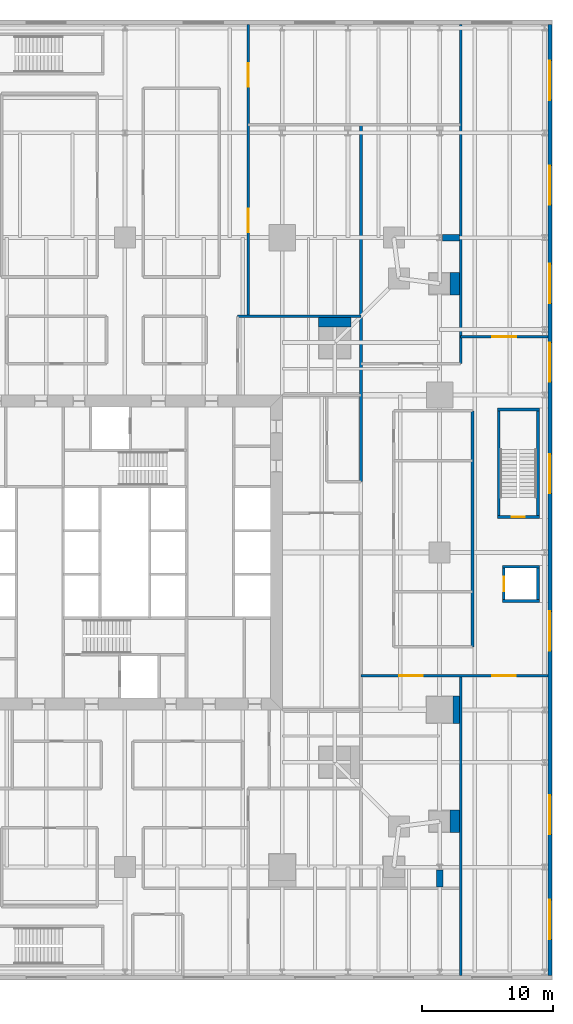
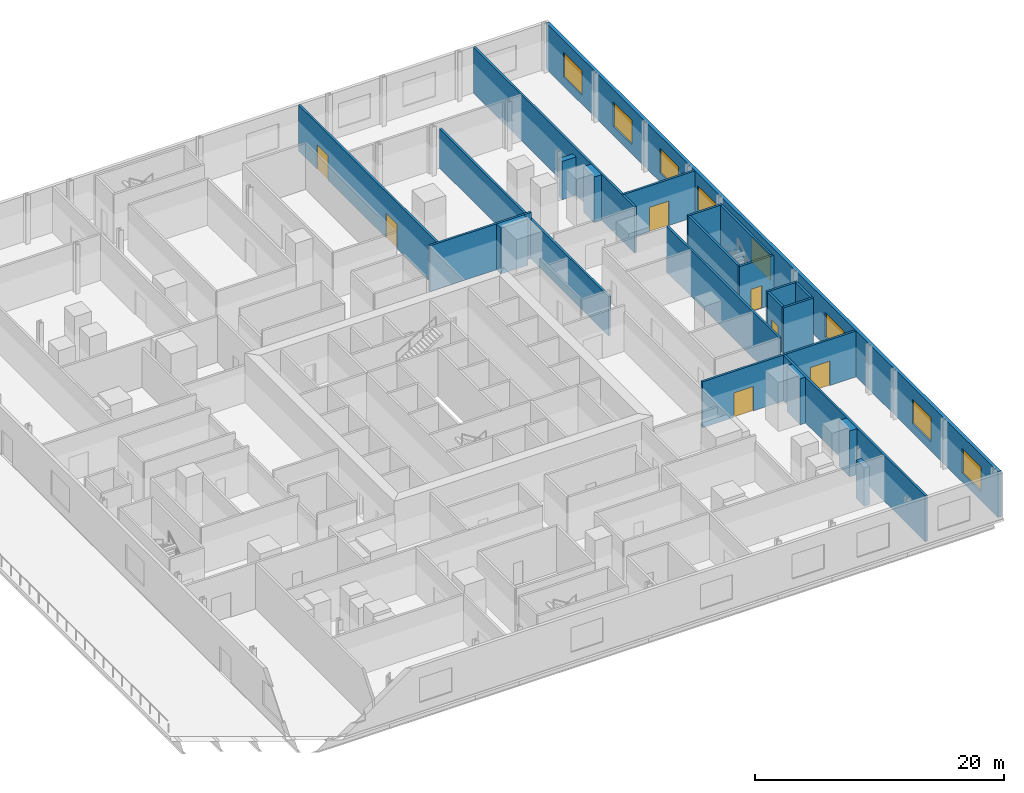
# One storey, part 13 of 17: 23 walls, 8 windows, 7 doors, 15 openings.
"""IFC4 building model written with IfcOpenShell, lengths in metres."""

from ifc_helpers import new_model, si_unit, direction, frame, frame_2d, origin, place, context, subcontext, project, spatial, rectangle, extrude, material, layer, layer_set, type_object, element, fill, save


model = new_model("IFC4")

# Units and contexts
model_context = context("Model", 3, precision=1e-05, world=origin(), true_north=direction((0.0, 1.0)))
body_context = subcontext(model_context, "Body", "Model", "MODEL_VIEW")
ifc_project = project(units=[si_unit("LENGTHUNIT", "METRE"), si_unit("AREAUNIT", "SQUARE_METRE"), si_unit("VOLUMEUNIT", "CUBIC_METRE"), si_unit("PLANEANGLEUNIT", "RADIAN"), si_unit("MASSUNIT", "GRAM", prefix="KILO")], contexts=[model_context])

# Site, building, storey
site_placement = place(None, origin())
site = spatial("IfcSite", under=ifc_project, at=site_placement, CompositionType="ELEMENT")
building_placement = place(site_placement, origin())
building = spatial("IfcBuilding", under=site, at=building_placement, Name="Fenwick Lantern Interchange", CompositionType="ELEMENT")
storey_placement = place(building_placement, frame((0.0, 0.0, 21.39990234375)))
storey = spatial("IfcBuildingStorey", under=building, at=storey_placement, Name="L04", CompositionType="ELEMENT", Elevation=21.39990234375)

# Walls
ifc_material_1 = material(Name="Fire-rated gypsum board encasement on steel studs, 2 hour", Category="steel")
ifc_layer_1 = layer(ifc_material_1, 1.699951171875)
ifc_layer_set_1 = layer_set([ifc_layer_1], Name="COLUMN PIER 1700")
wall_type_1 = type_object("IfcWallType", Name="COLUMN PIER 1700", PredefinedType="PARTITIONING", material=ifc_layer_set_1)
for number, where, z_axis, x_axis, name in (
    (1, (50.5, 4.5, 0.0), (0.0, 0.0, 1.0), (-1.0, 0.0, 0.0), "L04/W/PIER/CE1"),
    (2, (50.5, 45.5, 0.0), (0.0, 0.0, 1.0), (-1.0, 0.0, 0.0), "L04/W/PIER/CE5"),
):
    element("IfcWall", number, at=place(storey_placement, frame(where, z_axis=z_axis, x_axis=x_axis)), inside=storey, type_object=wall_type_1, Name=name, PredefinedType="PARTITIONING", context=body_context, shape_type="SweptSolid", body=[
        extrude(rectangle(XDim=0.699951171875, YDim=1.699951171875, at=frame_2d((0.35009765625, 0.0))), origin(), (0.0, 0.0, 1.0), 4.5),
    ])
ifc_layer_2 = layer(ifc_material_1, 2.10009765625)
ifc_layer_set_2 = layer_set([ifc_layer_2], Name="COLUMN PIER 2100")
wall_type_2 = type_object("IfcWallType", Name="COLUMN PIER 2100", PredefinedType="PARTITIONING", material=ifc_layer_set_2)
wall_1_placement = place(storey_placement, frame((50.5, 13.0, 0.0), z_axis=(0.0, 0.0, 1.0), x_axis=(-1.0, 0.0, 0.0)))
element("IfcWall", 3, at=wall_1_placement, inside=storey, type_object=wall_type_2, Name="L04/W/PIER/CE2", PredefinedType="PARTITIONING", context=body_context, shape_type="SweptSolid", body=[
    extrude(rectangle(XDim=0.5, YDim=2.10009765625, at=frame_2d((0.25, 0.0))), origin(), (0.0, 0.0, 1.0), 4.5),
])
ifc_layer_3 = layer(ifc_material_1, 2.5)
ifc_layer_set_3 = layer_set([ifc_layer_3], Name="COLUMN PIER 2500")
wall_type_3 = type_object("IfcWallType", Name="COLUMN PIER 2500", PredefinedType="PARTITIONING", material=ifc_layer_set_3)
wall_2_placement = place(storey_placement, frame((41.0, 42.89990234375, 0.0), z_axis=(0.0, 0.0, 1.0), x_axis=(0.0, -1.0, 0.0)))
element("IfcWall", 4, at=wall_2_placement, inside=storey, type_object=wall_type_3, Name="L04/W/PIER/M3", PredefinedType="PARTITIONING", context=body_context, shape_type="SweptSolid", body=[
    extrude(rectangle(XDim=0.699951171875, YDim=2.5, at=frame_2d((0.35009765625, 0.0))), origin(), (0.0, 0.0, 1.0), 4.5),
])
ifc_layer_4 = layer(ifc_material_1, 0.506103515625)
ifc_layer_set_4 = layer_set([ifc_layer_4], Name="COLUMN PIER 506")
wall_type_4 = type_object("IfcWallType", Name="COLUMN PIER 506", PredefinedType="PARTITIONING", material=ifc_layer_set_4)
wall_3_placement = place(storey_placement, frame((49.0, -0.5, 0.0), z_axis=(0.0, 0.0, 1.0), x_axis=(0.0, 1.0, 0.0)))
element("IfcWall", 5, at=wall_3_placement, inside=storey, type_object=wall_type_4, Name="L04/W/PIER/PC9", PredefinedType="PARTITIONING", context=body_context, shape_type="SweptSolid", body=[
    extrude(rectangle(XDim=1.291748046875, YDim=0.506103515625, at=frame_2d((0.64599609375, 0.0))), origin(), (0.0, 0.0, 1.0), 3.75439453125),
])
ifc_layer_5 = layer(ifc_material_1, 0.51708984375)
ifc_layer_set_5 = layer_set([ifc_layer_5], Name="COLUMN PIER 517")
wall_type_5 = type_object("IfcWallType", Name="COLUMN PIER 517", PredefinedType="PARTITIONING", material=ifc_layer_set_5)
wall_4_placement = place(storey_placement, frame((50.5, 49.0, 0.0), z_axis=(0.0, 0.0, 1.0), x_axis=(-1.0, 0.0, 0.0)))
element("IfcWall", 6, at=wall_4_placement, inside=storey, type_object=wall_type_5, Name="L04/W/PIER/PJ9", PredefinedType="PARTITIONING", context=body_context, shape_type="SweptSolid", body=[
    extrude(rectangle(XDim=1.296875, YDim=0.51708984375, at=frame_2d((0.6484375, 0.0))), origin(), (0.0, 0.0, 1.0), 3.75439453125),
])
ifc_material_2 = material(Name="Concrete masonry ASTM C90 Grade N", Category="masonry")
ifc_layer_6 = layer(ifc_material_2, 0.199951171875)
ifc_layer_set_6 = layer_set([ifc_layer_6], Name="Concrete masonry ASTM C90 Grade N")
wall_type_6 = type_object("IfcWallType", Name="LIFT SHAFT WALL 200", PredefinedType="PARTITIONING", material=ifc_layer_set_6)
wall_5_placement = place(storey_placement, frame((53.800048828125, 21.300048828125, 0.0), z_axis=(0.0, 0.0, 1.0), x_axis=(1.0, 0.0, 0.0)))
element("IfcWall", 7, at=wall_5_placement, inside=storey, type_object=wall_type_6, Name="L04/W/PL2/S", PredefinedType="PARTITIONING", context=body_context, shape_type="SweptSolid", body=[
    extrude(rectangle(XDim=2.800048828125, YDim=0.199951171875, at=frame_2d((1.39990234375, 0.0))), origin(), (0.0, 0.0, 1.0), 4.5),
])
wall_6_placement = place(storey_placement, frame((56.5, 21.39990234375, 0.0), z_axis=(0.0, 0.0, 1.0), x_axis=(0.0, 1.0, 0.0)))
element("IfcWall", 8, at=wall_6_placement, inside=storey, type_object=wall_type_6, Name="L04/W/PL2/E", PredefinedType="PARTITIONING", context=body_context, shape_type="SweptSolid", body=[
    extrude(rectangle(XDim=2.400146484375, YDim=0.199951171875, at=frame_2d((1.2001953125, 0.0))), origin(), (0.0, 0.0, 1.0), 4.5),
])
wall_7_placement = place(storey_placement, frame((56.60009765625, 23.89990234375, 0.0), z_axis=(0.0, 0.0, 1.0), x_axis=(-1.0, 0.0, 0.0)))
element("IfcWall", 9, at=wall_7_placement, inside=storey, type_object=wall_type_6, Name="L04/W/PL2/N", PredefinedType="PARTITIONING", context=body_context, shape_type="SweptSolid", body=[
    extrude(rectangle(XDim=2.800048828125, YDim=0.199951171875, at=frame_2d((1.39990234375, 0.0))), origin(), (0.0, 0.0, 1.0), 4.5),
])

# Wall, opening, door
wall_8_placement = place(storey_placement, frame((53.89990234375, 23.800048828125, 0.0), z_axis=(0.0, 0.0, 1.0), x_axis=(0.0, -1.0, 0.0)))
wall_8 = element("IfcWall", 10, at=wall_8_placement, inside=storey, type_object=wall_type_6, Name="L04/W/PL2/W", PredefinedType="PARTITIONING", context=body_context, shape_type="SweptSolid", body=[
    extrude(rectangle(XDim=2.400146484375, YDim=0.199951171875, at=frame_2d((1.2001953125, 0.0))), origin(), (0.0, 0.0, 1.0), 4.5),
])
opening_1_placement = place(wall_8_placement, frame((0.64990234375, 0.0, 0.0)))
opening_1 = element("IfcOpeningElement", 11, at=opening_1_placement, cuts=wall_8, Name="Opening LD-PL2", PredefinedType="OPENING", context=body_context, shape_type="SweptSolid", body=[
    extrude(rectangle(XDim=1.10009765625, YDim=2.199951171875, at=frame_2d((0.550048828125, 1.10009765625))), frame((0.0, 0.10986328125, 0.0), z_axis=(0.0, -1.0, 0.0), x_axis=(1.0, 0.0, 0.0)), (0.0, 0.0, 1.0), 0.219970703125),
])
ifc_material_3 = material(Name="Steel door and frame", Category="steel")
door_type_1 = type_object("IfcDoorType", Name="LIFT LANDING DOOR 1100 X 2200", OperationType="DOUBLE_DOOR_SLIDING", PredefinedType="DOOR", material=ifc_material_3)
door_1_placement = place(opening_1_placement, origin())
door_1 = element("IfcDoor", 12, at=door_1_placement, inside=storey, type_object=door_type_1, Name="Lift landing door PL2", OperationType="DOUBLE_DOOR_SLIDING", OverallHeight=2.199951171875, OverallWidth=1.10009765625, PredefinedType="DOOR", context=body_context, shape_type="SweptSolid", body=[
    extrude(rectangle(XDim=1.10009765625, YDim=2.199951171875, at=frame_2d((0.550048828125, 1.10009765625))), frame((0.0, 0.02490234375, 0.0), z_axis=(0.0, -1.0, 0.0), x_axis=(1.0, 0.0, 0.0)), (0.0, 0.0, 1.0), 0.050048828125),
])
fill(opening_1, door_1)

# Wall, openings, windows
ifc_material_4 = material(Name="Limestone ASTM C568 Classification II", Category="masonry")
ifc_layer_7 = layer(ifc_material_4, 0.074951171875)
ifc_material_5 = material(Name="Mineral wool insulation")
ifc_layer_8 = layer(ifc_material_5, 0.125)
ifc_material_6 = material(Name="Cold-formed galvanised steel studs", Category="steel")
ifc_layer_9 = layer(ifc_material_6, 0.10009765625)
ifc_layer_set_7 = layer_set([ifc_layer_7, ifc_layer_8, ifc_layer_9], Name="Limestone ASTM C568 Classification II")
wall_type_7 = type_object("IfcWallType", Name="LIMESTONE RAINSCREEN WALL 300", PredefinedType="SOLIDWALL", material=ifc_layer_set_7)
wall_9_placement = place(storey_placement, frame((57.39990234375, -7.25, 0.0), z_axis=(0.0, 0.0, 1.0), x_axis=(0.0, 1.0, 0.0)))
wall_9 = element("IfcWall", 13, at=wall_9_placement, inside=storey, type_object=wall_type_7, Name="L04/EW/E", PredefinedType="SOLIDWALL", context=body_context, shape_type="SweptSolid", body=[
    extrude(rectangle(XDim=72.5, YDim=0.300048828125, at=frame_2d((36.25, 0.0))), origin(), (0.0, 0.0, 1.0), 4.5),
])
opening_2_placement = place(wall_9_placement, frame((2.75, 0.0, 0.89990234375)))
opening_2 = element("IfcOpeningElement", 14, at=opening_2_placement, cuts=wall_9, Name="Opening W1", PredefinedType="OPENING", context=body_context, shape_type="SweptSolid", body=[
    extrude(rectangle(XDim=3.0, YDim=2.39990234375, at=frame_2d((1.5, 1.199951171875))), frame((0.0, 0.159912109375, 0.0), z_axis=(0.0, -1.0, 0.0), x_axis=(1.0, 0.0, 0.0)), (0.0, 0.0, 1.0), 0.320068359375),
])
opening_3_placement = place(wall_9_placement, frame((10.75, 0.0, 0.89990234375)))
opening_3 = element("IfcOpeningElement", 15, at=opening_3_placement, cuts=wall_9, Name="Opening W1", PredefinedType="OPENING", context=body_context, shape_type="SweptSolid", body=[
    extrude(rectangle(XDim=3.0, YDim=2.39990234375, at=frame_2d((1.5, 1.199951171875))), frame((0.0, 0.159912109375, 0.0), z_axis=(0.0, -1.0, 0.0), x_axis=(1.0, 0.0, 0.0)), (0.0, 0.0, 1.0), 0.320068359375),
])
opening_4_placement = place(wall_9_placement, frame((24.75, 0.0, 0.89990234375)))
opening_4 = element("IfcOpeningElement", 16, at=opening_4_placement, cuts=wall_9, Name="Opening W1", PredefinedType="OPENING", context=body_context, shape_type="SweptSolid", body=[
    extrude(rectangle(XDim=3.0, YDim=2.39990234375, at=frame_2d((1.5, 1.199951171875))), frame((0.0, 0.159912109375, 0.0), z_axis=(0.0, -1.0, 0.0), x_axis=(1.0, 0.0, 0.0)), (0.0, 0.0, 1.0), 0.320068359375),
])
opening_5_placement = place(wall_9_placement, frame((36.75, 0.0, 0.89990234375)))
opening_5 = element("IfcOpeningElement", 17, at=opening_5_placement, cuts=wall_9, Name="Opening W1", PredefinedType="OPENING", context=body_context, shape_type="SweptSolid", body=[
    extrude(rectangle(XDim=3.0, YDim=2.39990234375, at=frame_2d((1.5, 1.199951171875))), frame((0.0, 0.159912109375, 0.0), z_axis=(0.0, -1.0, 0.0), x_axis=(1.0, 0.0, 0.0)), (0.0, 0.0, 1.0), 0.320068359375),
])
opening_6_placement = place(wall_9_placement, frame((45.25, 0.0, 0.89990234375)))
opening_6 = element("IfcOpeningElement", 18, at=opening_6_placement, cuts=wall_9, Name="Opening W1", PredefinedType="OPENING", context=body_context, shape_type="SweptSolid", body=[
    extrude(rectangle(XDim=3.0, YDim=2.39990234375, at=frame_2d((1.5, 1.199951171875))), frame((0.0, 0.159912109375, 0.0), z_axis=(0.0, -1.0, 0.0), x_axis=(1.0, 0.0, 0.0)), (0.0, 0.0, 1.0), 0.320068359375),
])
opening_7_placement = place(wall_9_placement, frame((51.25, 0.0, 0.89990234375)))
opening_7 = element("IfcOpeningElement", 19, at=opening_7_placement, cuts=wall_9, Name="Opening W1", PredefinedType="OPENING", context=body_context, shape_type="SweptSolid", body=[
    extrude(rectangle(XDim=3.0, YDim=2.39990234375, at=frame_2d((1.5, 1.199951171875))), frame((0.0, 0.159912109375, 0.0), z_axis=(0.0, -1.0, 0.0), x_axis=(1.0, 0.0, 0.0)), (0.0, 0.0, 1.0), 0.320068359375),
])
opening_8_placement = place(wall_9_placement, frame((58.75, 0.0, 0.89990234375)))
opening_8 = element("IfcOpeningElement", 20, at=opening_8_placement, cuts=wall_9, Name="Opening W1", PredefinedType="OPENING", context=body_context, shape_type="SweptSolid", body=[
    extrude(rectangle(XDim=3.0, YDim=2.39990234375, at=frame_2d((1.5, 1.199951171875))), frame((0.0, 0.159912109375, 0.0), z_axis=(0.0, -1.0, 0.0), x_axis=(1.0, 0.0, 0.0)), (0.0, 0.0, 1.0), 0.320068359375),
])
opening_9_placement = place(wall_9_placement, frame((66.75, 0.0, 0.89990234375)))
opening_9 = element("IfcOpeningElement", 21, at=opening_9_placement, cuts=wall_9, Name="Opening W1", PredefinedType="OPENING", context=body_context, shape_type="SweptSolid", body=[
    extrude(rectangle(XDim=3.0, YDim=2.39990234375, at=frame_2d((1.5, 1.199951171875))), frame((0.0, 0.159912109375, 0.0), z_axis=(0.0, -1.0, 0.0), x_axis=(1.0, 0.0, 0.0)), (0.0, 0.0, 1.0), 0.320068359375),
])
ifc_material_7 = material(Name="Aluminium window, clear glass", Category="aluminium")
window_type = type_object("IfcWindowType", Name="PODIUM WINDOW 3000 X 2400", PartitioningType="SINGLE_PANEL", PredefinedType="WINDOW", material=ifc_material_7)
window_1_placement = place(opening_2_placement, origin())
window_1 = element("IfcWindow", 22, at=window_1_placement, inside=storey, type_object=window_type, Name="Podium window", OverallHeight=2.39990234375, OverallWidth=3.0, PartitioningType="SINGLE_PANEL", PredefinedType="WINDOW", context=body_context, shape_type="SweptSolid", body=[
    extrude(rectangle(XDim=3.0, YDim=2.39990234375, at=frame_2d((1.5, 1.199951171875))), frame((0.0, 0.030029296875, 0.0), z_axis=(0.0, -1.0, 0.0), x_axis=(1.0, 0.0, 0.0)), (0.0, 0.0, 1.0), 0.06005859375),
])
fill(opening_2, window_1)
window_2_placement = place(opening_3_placement, origin())
window_2 = element("IfcWindow", 23, at=window_2_placement, inside=storey, type_object=window_type, Name="Podium window", OverallHeight=2.39990234375, OverallWidth=3.0, PartitioningType="SINGLE_PANEL", PredefinedType="WINDOW", context=body_context, shape_type="SweptSolid", body=[
    extrude(rectangle(XDim=3.0, YDim=2.39990234375, at=frame_2d((1.5, 1.199951171875))), frame((0.0, 0.030029296875, 0.0), z_axis=(0.0, -1.0, 0.0), x_axis=(1.0, 0.0, 0.0)), (0.0, 0.0, 1.0), 0.06005859375),
])
fill(opening_3, window_2)
window_3_placement = place(opening_4_placement, origin())
window_3 = element("IfcWindow", 24, at=window_3_placement, inside=storey, type_object=window_type, Name="Podium window", OverallHeight=2.39990234375, OverallWidth=3.0, PartitioningType="SINGLE_PANEL", PredefinedType="WINDOW", context=body_context, shape_type="SweptSolid", body=[
    extrude(rectangle(XDim=3.0, YDim=2.39990234375, at=frame_2d((1.5, 1.199951171875))), frame((0.0, 0.030029296875, 0.0), z_axis=(0.0, -1.0, 0.0), x_axis=(1.0, 0.0, 0.0)), (0.0, 0.0, 1.0), 0.06005859375),
])
fill(opening_4, window_3)
window_4_placement = place(opening_5_placement, origin())
window_4 = element("IfcWindow", 25, at=window_4_placement, inside=storey, type_object=window_type, Name="Podium window", OverallHeight=2.39990234375, OverallWidth=3.0, PartitioningType="SINGLE_PANEL", PredefinedType="WINDOW", context=body_context, shape_type="SweptSolid", body=[
    extrude(rectangle(XDim=3.0, YDim=2.39990234375, at=frame_2d((1.5, 1.199951171875))), frame((0.0, 0.030029296875, 0.0), z_axis=(0.0, -1.0, 0.0), x_axis=(1.0, 0.0, 0.0)), (0.0, 0.0, 1.0), 0.06005859375),
])
fill(opening_5, window_4)
window_5_placement = place(opening_6_placement, origin())
window_5 = element("IfcWindow", 26, at=window_5_placement, inside=storey, type_object=window_type, Name="Podium window", OverallHeight=2.39990234375, OverallWidth=3.0, PartitioningType="SINGLE_PANEL", PredefinedType="WINDOW", context=body_context, shape_type="SweptSolid", body=[
    extrude(rectangle(XDim=3.0, YDim=2.39990234375, at=frame_2d((1.5, 1.199951171875))), frame((0.0, 0.030029296875, 0.0), z_axis=(0.0, -1.0, 0.0), x_axis=(1.0, 0.0, 0.0)), (0.0, 0.0, 1.0), 0.06005859375),
])
fill(opening_6, window_5)
window_6_placement = place(opening_7_placement, origin())
window_6 = element("IfcWindow", 27, at=window_6_placement, inside=storey, type_object=window_type, Name="Podium window", OverallHeight=2.39990234375, OverallWidth=3.0, PartitioningType="SINGLE_PANEL", PredefinedType="WINDOW", context=body_context, shape_type="SweptSolid", body=[
    extrude(rectangle(XDim=3.0, YDim=2.39990234375, at=frame_2d((1.5, 1.199951171875))), frame((0.0, 0.030029296875, 0.0), z_axis=(0.0, -1.0, 0.0), x_axis=(1.0, 0.0, 0.0)), (0.0, 0.0, 1.0), 0.06005859375),
])
fill(opening_7, window_6)
window_7_placement = place(opening_8_placement, origin())
window_7 = element("IfcWindow", 28, at=window_7_placement, inside=storey, type_object=window_type, Name="Podium window", OverallHeight=2.39990234375, OverallWidth=3.0, PartitioningType="SINGLE_PANEL", PredefinedType="WINDOW", context=body_context, shape_type="SweptSolid", body=[
    extrude(rectangle(XDim=3.0, YDim=2.39990234375, at=frame_2d((1.5, 1.199951171875))), frame((0.0, 0.030029296875, 0.0), z_axis=(0.0, -1.0, 0.0), x_axis=(1.0, 0.0, 0.0)), (0.0, 0.0, 1.0), 0.06005859375),
])
fill(opening_8, window_7)
window_8_placement = place(opening_9_placement, origin())
window_8 = element("IfcWindow", 29, at=window_8_placement, inside=storey, type_object=window_type, Name="Podium window", OverallHeight=2.39990234375, OverallWidth=3.0, PartitioningType="SINGLE_PANEL", PredefinedType="WINDOW", context=body_context, shape_type="SweptSolid", body=[
    extrude(rectangle(XDim=3.0, YDim=2.39990234375, at=frame_2d((1.5, 1.199951171875))), frame((0.0, 0.030029296875, 0.0), z_axis=(0.0, -1.0, 0.0), x_axis=(1.0, 0.0, 0.0)), (0.0, 0.0, 1.0), 0.06005859375),
])
fill(opening_9, window_8)

# Wall, openings, doors
ifc_material_8 = material(Name="Gypsum board on steel studs, 1 hour", Category="steel")
ifc_layer_10 = layer(ifc_material_8, 0.199951171875)
ifc_layer_set_8 = layer_set([ifc_layer_10], Name="ROOM WALL 200")
wall_type_8 = type_object("IfcWallType", Name="ROOM WALL 200", PredefinedType="PARTITIONING", material=ifc_layer_set_8)
wall_10_placement = place(storey_placement, frame((34.39990234375, 43.0, 0.0), z_axis=(0.0, 0.0, 1.0), x_axis=(0.0, 1.0, 0.0)))
wall_10 = element("IfcWall", 30, at=wall_10_placement, inside=storey, type_object=wall_type_8, Name="L04/W/POD/X34.4-2", PredefinedType="PARTITIONING", context=body_context, shape_type="SweptSolid", body=[
    extrude(rectangle(XDim=22.25, YDim=0.199951171875, at=frame_2d((11.125, 0.0))), origin(), (0.0, 0.0, 1.0), 4.5),
])
opening_10_placement = place(wall_10_placement, frame((6.425048828125, 0.0, 0.0)))
opening_10 = element("IfcOpeningElement", 31, at=opening_10_placement, cuts=wall_10, Name="Opening L04-D033", PredefinedType="OPENING", context=body_context, shape_type="SweptSolid", body=[
    extrude(rectangle(XDim=1.800048828125, YDim=2.39990234375, at=frame_2d((0.89990234375, 1.199951171875))), frame((0.0, 0.10986328125, 0.0), z_axis=(0.0, -1.0, 0.0), x_axis=(1.0, 0.0, 0.0)), (0.0, 0.0, 1.0), 0.219970703125),
])
opening_11_placement = place(wall_10_placement, frame((17.5, 0.0, 0.0)))
opening_11 = element("IfcOpeningElement", 32, at=opening_11_placement, cuts=wall_10, Name="Opening L04-D034", PredefinedType="OPENING", context=body_context, shape_type="SweptSolid", body=[
    extrude(rectangle(XDim=1.800048828125, YDim=2.39990234375, at=frame_2d((0.89990234375, 1.199951171875))), frame((0.0, 0.10986328125, 0.0), z_axis=(0.0, -1.0, 0.0), x_axis=(1.0, 0.0, 0.0)), (0.0, 0.0, 1.0), 0.219970703125),
])
door_type_2 = type_object("IfcDoorType", Name="ROOM DOOR PAIR 1800 X 2400", OperationType="DOUBLE_DOOR_SINGLE_SWING", PredefinedType="DOOR", material=ifc_material_3)
door_2_placement = place(opening_10_placement, origin())
door_2 = element("IfcDoor", 33, at=door_2_placement, inside=storey, type_object=door_type_2, Name="Room door pair", OperationType="DOUBLE_DOOR_SINGLE_SWING", OverallHeight=2.39990234375, OverallWidth=1.800048828125, PredefinedType="DOOR", context=body_context, shape_type="SweptSolid", body=[
    extrude(rectangle(XDim=1.800048828125, YDim=2.39990234375, at=frame_2d((0.89990234375, 1.199951171875))), frame((0.0, 0.02490234375, 0.0), z_axis=(0.0, -1.0, 0.0), x_axis=(1.0, 0.0, 0.0)), (0.0, 0.0, 1.0), 0.050048828125),
])
fill(opening_10, door_2)
door_3_placement = place(opening_11_placement, origin())
door_3 = element("IfcDoor", 34, at=door_3_placement, inside=storey, type_object=door_type_2, Name="Room door pair", OperationType="DOUBLE_DOOR_SINGLE_SWING", OverallHeight=2.39990234375, OverallWidth=1.800048828125, PredefinedType="DOOR", context=body_context, shape_type="SweptSolid", body=[
    extrude(rectangle(XDim=1.800048828125, YDim=2.39990234375, at=frame_2d((0.89990234375, 1.199951171875))), frame((0.0, 0.02490234375, 0.0), z_axis=(0.0, -1.0, 0.0), x_axis=(1.0, 0.0, 0.0)), (0.0, 0.0, 1.0), 0.050048828125),
])
fill(opening_11, door_3)

# Walls
wall_11_placement = place(storey_placement, frame((43.0, 30.39990234375, 0.0), z_axis=(0.0, 0.0, 1.0), x_axis=(0.0, 1.0, 0.0)))
element("IfcWall", 35, at=wall_11_placement, inside=storey, type_object=wall_type_8, Name="L04/W/POD/X43-2", PredefinedType="PARTITIONING", context=body_context, shape_type="SweptSolid", body=[
    extrude(rectangle(XDim=27.2001953125, YDim=0.199951171875, at=frame_2d((13.60009765625, 0.0))), origin(), (0.0, 0.0, 1.0), 3.84326171875),
])
wall_12_placement = place(storey_placement, frame((50.60009765625, -7.25, 0.0), z_axis=(0.0, 0.0, 1.0), x_axis=(0.0, 1.0, 0.0)))
element("IfcWall", 36, at=wall_12_placement, inside=storey, type_object=wall_type_8, Name="L04/W/POD/X50.6-1", PredefinedType="PARTITIONING", context=body_context, shape_type="SweptSolid", body=[
    extrude(rectangle(XDim=22.85009765625, YDim=0.199951171875, at=frame_2d((11.425048828125, 0.0))), origin(), (0.0, 0.0, 1.0), 4.5),
])
wall_13_placement = place(storey_placement, frame((50.60009765625, 39.39990234375, 0.0), z_axis=(0.0, 0.0, 1.0), x_axis=(0.0, 1.0, 0.0)))
element("IfcWall", 37, at=wall_13_placement, inside=storey, type_object=wall_type_8, Name="L04/W/POD/X50.6-2", PredefinedType="PARTITIONING", context=body_context, shape_type="SweptSolid", body=[
    extrude(rectangle(XDim=25.85009765625, YDim=0.199951171875, at=frame_2d((12.925048828125, 0.0))), origin(), (0.0, 0.0, 1.0), 4.5),
])
wall_14_placement = place(storey_placement, frame((51.5, 17.800048828125, 0.0), z_axis=(0.0, 0.0, 1.0), x_axis=(0.0, 1.0, 0.0)))
element("IfcWall", 38, at=wall_14_placement, inside=storey, type_object=wall_type_8, Name="L04/W/POD/X51.5-1", PredefinedType="PARTITIONING", context=body_context, shape_type="SweptSolid", body=[
    extrude(rectangle(XDim=18.0, YDim=0.199951171875, at=frame_2d((9.0, 0.0))), origin(), (0.0, 0.0, 1.0), 4.5),
])

# Wall, openings, doors
wall_15_placement = place(storey_placement, frame((43.0, 15.60009765625, 0.0), z_axis=(0.0, 0.0, 1.0), x_axis=(1.0, 0.0, 0.0)))
wall_15 = element("IfcWall", 39, at=wall_15_placement, inside=storey, type_object=wall_type_8, Name="L04/W/POD/Y15.6-1", PredefinedType="PARTITIONING", context=body_context, shape_type="SweptSolid", body=[
    extrude(rectangle(XDim=14.25, YDim=0.199951171875, at=frame_2d((7.125, 0.0))), origin(), (0.0, 0.0, 1.0), 4.5),
])
opening_12_placement = place(wall_15_placement, frame((10.0, 0.0, 0.0)))
opening_12 = element("IfcOpeningElement", 40, at=opening_12_placement, cuts=wall_15, Name="Opening L04-D029", PredefinedType="OPENING", context=body_context, shape_type="SweptSolid", body=[
    extrude(rectangle(XDim=1.800048828125, YDim=2.39990234375, at=frame_2d((0.89990234375, 1.199951171875))), frame((0.0, 0.10986328125, 0.0), z_axis=(0.0, -1.0, 0.0), x_axis=(1.0, 0.0, 0.0)), (0.0, 0.0, 1.0), 0.219970703125),
])
opening_13_placement = place(wall_15_placement, frame((2.925048828125, 0.0, 0.0)))
opening_13 = element("IfcOpeningElement", 41, at=opening_13_placement, cuts=wall_15, Name="Opening L04-D030", PredefinedType="OPENING", context=body_context, shape_type="SweptSolid", body=[
    extrude(rectangle(XDim=1.800048828125, YDim=2.39990234375, at=frame_2d((0.89990234375, 1.199951171875))), frame((0.0, 0.10986328125, 0.0), z_axis=(0.0, -1.0, 0.0), x_axis=(1.0, 0.0, 0.0)), (0.0, 0.0, 1.0), 0.219970703125),
])
door_4_placement = place(opening_12_placement, origin())
door_4 = element("IfcDoor", 42, at=door_4_placement, inside=storey, type_object=door_type_2, Name="Room door pair", OperationType="DOUBLE_DOOR_SINGLE_SWING", OverallHeight=2.39990234375, OverallWidth=1.800048828125, PredefinedType="DOOR", context=body_context, shape_type="SweptSolid", body=[
    extrude(rectangle(XDim=1.800048828125, YDim=2.39990234375, at=frame_2d((0.89990234375, 1.199951171875))), frame((0.0, 0.02490234375, 0.0), z_axis=(0.0, -1.0, 0.0), x_axis=(1.0, 0.0, 0.0)), (0.0, 0.0, 1.0), 0.050048828125),
])
fill(opening_12, door_4)
door_5_placement = place(opening_13_placement, origin())
door_5 = element("IfcDoor", 43, at=door_5_placement, inside=storey, type_object=door_type_2, Name="Room door pair", OperationType="DOUBLE_DOOR_SINGLE_SWING", OverallHeight=2.39990234375, OverallWidth=1.800048828125, PredefinedType="DOOR", context=body_context, shape_type="SweptSolid", body=[
    extrude(rectangle(XDim=1.800048828125, YDim=2.39990234375, at=frame_2d((0.89990234375, 1.199951171875))), frame((0.0, 0.02490234375, 0.0), z_axis=(0.0, -1.0, 0.0), x_axis=(1.0, 0.0, 0.0)), (0.0, 0.0, 1.0), 0.050048828125),
])
fill(opening_13, door_5)

# Wall, opening, door
wall_16_placement = place(storey_placement, frame((50.60009765625, 41.449951171875, 0.0), z_axis=(0.0, 0.0, 1.0), x_axis=(1.0, 0.0, 0.0)))
wall_16 = element("IfcWall", 44, at=wall_16_placement, inside=storey, type_object=wall_type_8, Name="L04/W/POD/Y41.45-1", PredefinedType="PARTITIONING", context=body_context, shape_type="SweptSolid", body=[
    extrude(rectangle(XDim=6.64990234375, YDim=0.199951171875, at=frame_2d((3.324951171875, 0.0))), origin(), (0.0, 0.0, 1.0), 4.5),
])
opening_14_placement = place(wall_16_placement, frame((2.425048828125, 0.0, 0.0)))
opening_14 = element("IfcOpeningElement", 45, at=opening_14_placement, cuts=wall_16, Name="Opening L04-D032", PredefinedType="OPENING", context=body_context, shape_type="SweptSolid", body=[
    extrude(rectangle(XDim=1.800048828125, YDim=2.39990234375, at=frame_2d((0.89990234375, 1.199951171875))), frame((0.0, 0.10986328125, 0.0), z_axis=(0.0, -1.0, 0.0), x_axis=(1.0, 0.0, 0.0)), (0.0, 0.0, 1.0), 0.219970703125),
])
door_6_placement = place(opening_14_placement, frame((1.800048828125, 0.0, 0.0), z_axis=(0.0, 0.0, 1.0), x_axis=(-1.0, 0.0, 0.0)))
door_6 = element("IfcDoor", 46, at=door_6_placement, inside=storey, type_object=door_type_2, Name="Room door pair", OperationType="DOUBLE_DOOR_SINGLE_SWING", OverallHeight=2.39990234375, OverallWidth=1.800048828125, PredefinedType="DOOR", context=body_context, shape_type="SweptSolid", body=[
    extrude(rectangle(XDim=1.800048828125, YDim=2.39990234375, at=frame_2d((0.89990234375, 1.199951171875))), frame((0.0, 0.02490234375, 0.0), z_axis=(0.0, -1.0, 0.0), x_axis=(1.0, 0.0, 0.0)), (0.0, 0.0, 1.0), 0.050048828125),
])
fill(opening_14, door_6)

# Wall
wall_17_placement = place(storey_placement, frame((33.60009765625, 43.0, 0.0), z_axis=(0.0, 0.0, 1.0), x_axis=(1.0, 0.0, 0.0)))
element("IfcWall", 47, at=wall_17_placement, inside=storey, type_object=wall_type_8, Name="L04/W/POD/Y43-4", PredefinedType="PARTITIONING", context=body_context, shape_type="SweptSolid", body=[
    extrude(rectangle(XDim=9.39990234375, YDim=0.199951171875, at=frame_2d((4.699951171875, 0.0))), origin(), (0.0, 0.0, 1.0), 4.5),
])

# Wall, opening, door
ifc_material_9 = material(Name="Reinforced concrete masonry ASTM C90 Grade N", Category="masonry")
ifc_layer_11 = layer(ifc_material_9, 0.199951171875)
ifc_layer_set_9 = layer_set([ifc_layer_11], Name="Reinforced concrete masonry ASTM C90 Grade N")
wall_type_9 = type_object("IfcWallType", Name="STAIR ENCLOSURE 200", PredefinedType="SOLIDWALL", material=ifc_layer_set_9)
wall_18_placement = place(storey_placement, frame((53.39990234375, 27.699951171875, 0.0), z_axis=(0.0, 0.0, 1.0), x_axis=(1.0, 0.0, 0.0)))
wall_18 = element("IfcWall", 48, at=wall_18_placement, inside=storey, type_object=wall_type_9, Name="L04/W/PS4/S", PredefinedType="SOLIDWALL", context=body_context, shape_type="SweptSolid", body=[
    extrude(rectangle(XDim=3.2001953125, YDim=0.199951171875, at=frame_2d((1.60009765625, 0.0))), origin(), (0.0, 0.0, 1.0), 4.800048828125),
])
opening_15_placement = place(wall_18_placement, frame((1.10009765625, 0.0, 0.0)))
opening_15 = element("IfcOpeningElement", 49, at=opening_15_placement, cuts=wall_18, Name="Opening L04-D022", PredefinedType="OPENING", context=body_context, shape_type="SweptSolid", body=[
    extrude(rectangle(XDim=1.0, YDim=2.199951171875, at=frame_2d((0.5, 1.10009765625))), frame((0.0, 0.10986328125, 0.0), z_axis=(0.0, -1.0, 0.0), x_axis=(1.0, 0.0, 0.0)), (0.0, 0.0, 1.0), 0.219970703125),
])
door_type_3 = type_object("IfcDoorType", Name="STAIR DOOR 1000 X 2200", OperationType="SINGLE_SWING_LEFT", PredefinedType="DOOR", material=ifc_material_3)
door_7_placement = place(opening_15_placement, origin())
door_7 = element("IfcDoor", 50, at=door_7_placement, inside=storey, type_object=door_type_3, Name="Stair door", OperationType="SINGLE_SWING_LEFT", OverallHeight=2.199951171875, OverallWidth=1.0, PredefinedType="DOOR", context=body_context, shape_type="SweptSolid", body=[
    extrude(rectangle(XDim=1.0, YDim=2.199951171875, at=frame_2d((0.5, 1.10009765625))), frame((0.0, 0.02490234375, 0.0), z_axis=(0.0, -1.0, 0.0), x_axis=(1.0, 0.0, 0.0)), (0.0, 0.0, 1.0), 0.050048828125),
])
fill(opening_15, door_7)

# Walls
wall_19_placement = place(storey_placement, frame((56.5, 27.800048828125, 0.0), z_axis=(0.0, 0.0, 1.0), x_axis=(0.0, 1.0, 0.0)))
element("IfcWall", 51, at=wall_19_placement, inside=storey, type_object=wall_type_9, Name="L04/W/PS4/E", PredefinedType="SOLIDWALL", context=body_context, shape_type="SweptSolid", body=[
    extrude(rectangle(XDim=8.0, YDim=0.199951171875, at=frame_2d((4.0, 0.0))), origin(), (0.0, 0.0, 1.0), 4.800048828125),
])
wall_20_placement = place(storey_placement, frame((56.60009765625, 35.89990234375, 0.0), z_axis=(0.0, 0.0, 1.0), x_axis=(-1.0, 0.0, 0.0)))
element("IfcWall", 52, at=wall_20_placement, inside=storey, type_object=wall_type_9, Name="L04/W/PS4/N", PredefinedType="SOLIDWALL", context=body_context, shape_type="SweptSolid", body=[
    extrude(rectangle(XDim=3.2001953125, YDim=0.199951171875, at=frame_2d((1.60009765625, 0.0))), origin(), (0.0, 0.0, 1.0), 4.800048828125),
])
wall_21_placement = place(storey_placement, frame((53.5, 35.800048828125, 0.0), z_axis=(0.0, 0.0, 1.0), x_axis=(0.0, -1.0, 0.0)))
element("IfcWall", 53, at=wall_21_placement, inside=storey, type_object=wall_type_9, Name="L04/W/PS4/W", PredefinedType="SOLIDWALL", context=body_context, shape_type="SweptSolid", body=[
    extrude(rectangle(XDim=8.0, YDim=0.199951171875, at=frame_2d((4.0, 0.0))), origin(), (0.0, 0.0, 1.0), 4.800048828125),
])

save(model, "model.ifc")
